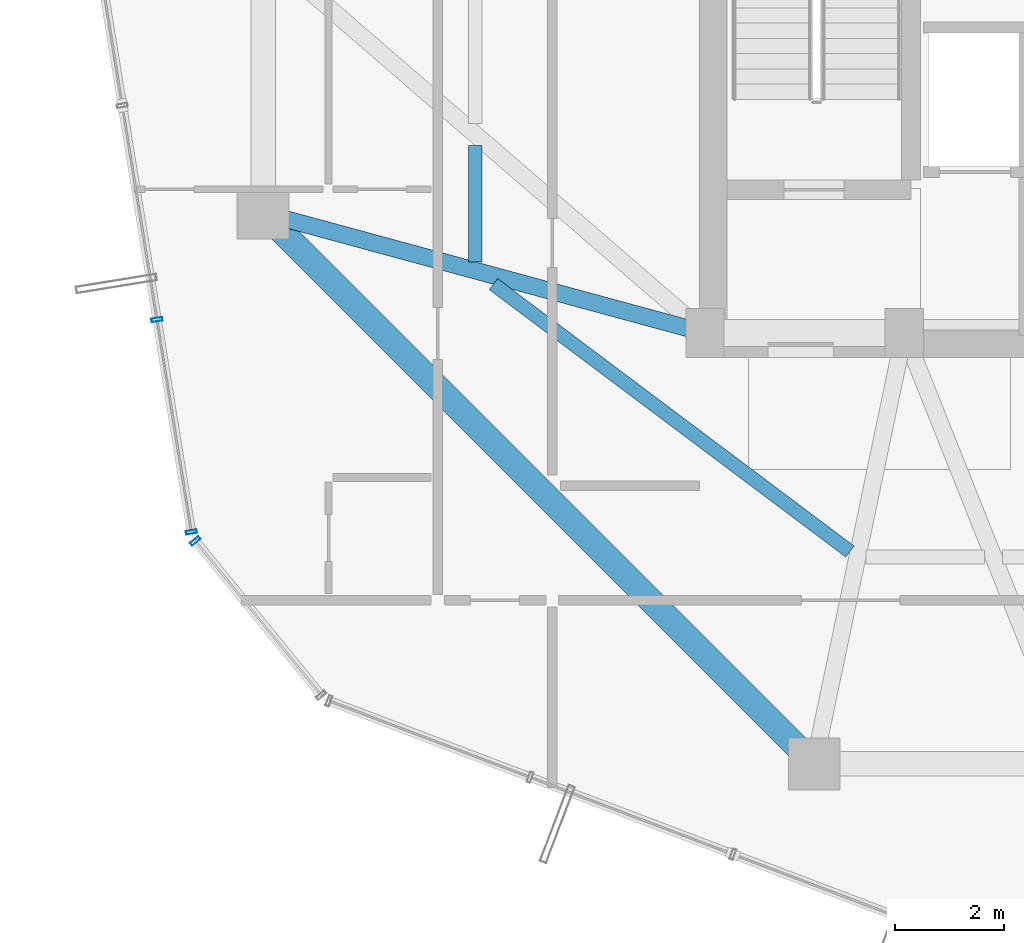
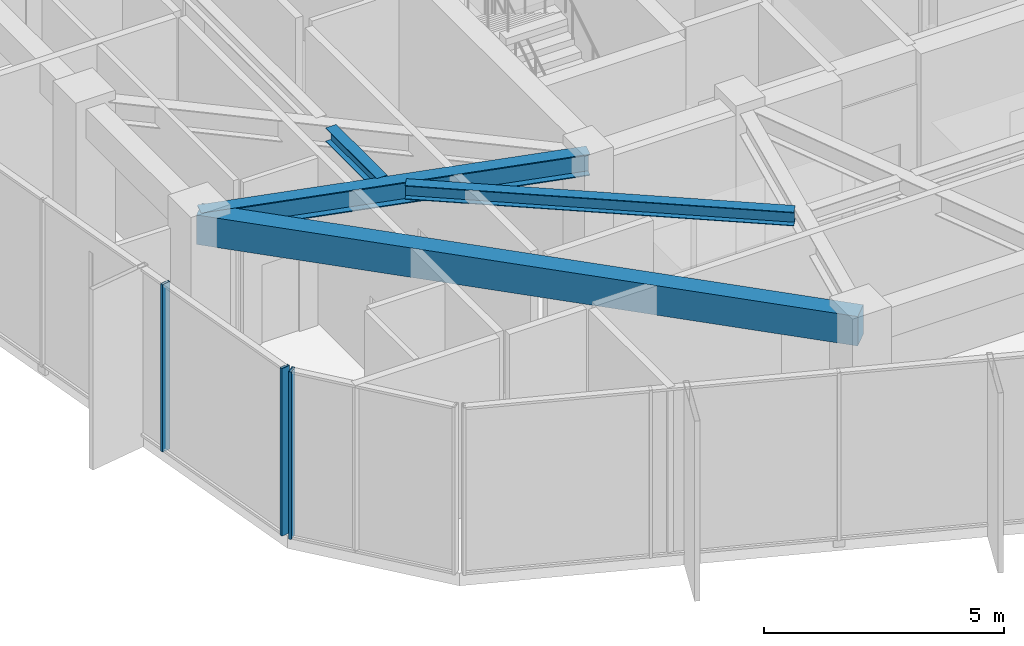
# One storey, part 3 of 22: 4 beams, 3 members, 2 elements without a shape of their own.
"""IFC4 building model written with IfcOpenShell, lengths in metres."""

import ifcopenshell
import ifcopenshell.guid

model = None  # the IFC model being written
_history = None  # IfcOwnerHistory: only IFC2X3 demands one
_inside = {}  # id of a spatial element -> (the spatial element, [elements in it])
_under = {}  # id of a project, library or spatial element -> (it, [spatial elements below it])
_declared = {}  # id of a project -> (the project, [libraries it declares])
_typed = {}  # id of a type object -> (the type object, [elements of that type])
_made_of = {}  # id of a material, layer set ... -> (it, [elements and type objects made of it])


def new_model(schema):
    """Start an empty IFC model of exactly this schema.

    Asked for "IFC4X3", IfcOpenShell would pick the latest addendum, in which some entities
    have other attributes; the version numbers below select the first issue.
    IFC2X3 requires an IfcOwnerHistory on every rooted entity: one is made here for all.
    """
    global model, _history
    if schema == "IFC4X3":
        model = ifcopenshell.file(schema_version=(4, 3, 0, 0))
    else:
        model = ifcopenshell.file(schema=schema)
    _inside.clear()
    _under.clear()
    _declared.clear()
    _typed.clear()
    _made_of.clear()
    _history = None
    if model.schema == "IFC2X3":
        org = make("IfcOrganization", Name="unknown")
        user = make(
            "IfcPersonAndOrganization",
            ThePerson=make("IfcPerson", FamilyName="unknown"),
            TheOrganization=org,
        )
        app = make(
            "IfcApplication",
            ApplicationDeveloper=org,
            Version="unknown",
            ApplicationFullName="unknown",
            ApplicationIdentifier="unknown",
        )
        _history = make(
            "IfcOwnerHistory",
            OwningUser=user,
            OwningApplication=app,
            ChangeAction="ADDED",
            CreationDate=0,
        )
    return model


def make(cls, **values):
    """One entity of the class cls with the attributes given. An attribute that is None is left unset."""
    return model.create_entity(
        cls, **{name: value for name, value in values.items() if value is not None}
    )


def rooted(cls, **values):
    """An entity with a GlobalId (a new one), such as an element, a storey or a relation."""
    return make(cls, GlobalId=ifcopenshell.guid.new(), OwnerHistory=_history, **values)


def si_unit(unit_type, name, prefix=None):
    """IfcSIUnit, for example si_unit("LENGTHUNIT", "METRE", prefix="MILLI")."""
    return make("IfcSIUnit", UnitType=unit_type, Prefix=prefix, Name=name)


def assignment(units):
    """IfcUnitAssignment: the units of a project."""
    return None if units is None else make("IfcUnitAssignment", Units=units)


def point(xyz):
    """IfcCartesianPoint."""
    return None if xyz is None else make("IfcCartesianPoint", Coordinates=xyz)


def direction(xyz):
    """IfcDirection."""
    return None if xyz is None else make("IfcDirection", DirectionRatios=xyz)


def frame(location, z_axis=None, x_axis=None):
    """IfcAxis2Placement3D, a coordinate frame: its origin and axes. An axis left out is left unset."""
    return make(
        "IfcAxis2Placement3D",
        Location=point(location),
        Axis=direction(z_axis),
        RefDirection=direction(x_axis),
    )


def frame_2d(location, x_axis=None):
    """IfcAxis2Placement2D, a coordinate frame in the plane: its origin and x axis."""
    return make(
        "IfcAxis2Placement2D", Location=point(location), RefDirection=direction(x_axis)
    )


def origin():
    """The frame at (0, 0, 0) with its axes left unset."""
    return frame((0.0, 0.0, 0.0))


def origin_2d():
    """The frame at (0, 0) in the plane with its x axis left unset."""
    return frame_2d((0.0, 0.0))


def place(relative_to, where):
    """IfcLocalPlacement: puts the frame where relative to a parent placement (None: the world)."""
    return make(
        "IfcLocalPlacement", PlacementRelTo=relative_to, RelativePlacement=where
    )


def context(
    kind, dimensions, precision=None, world=None, true_north=None, identifier=None
):
    """IfcGeometricRepresentationContext, for example the 3D "Model" context."""
    return make(
        "IfcGeometricRepresentationContext",
        ContextIdentifier=identifier,
        ContextType=kind,
        CoordinateSpaceDimension=dimensions,
        Precision=precision,
        WorldCoordinateSystem=world,
        TrueNorth=true_north,
    )


def subcontext(parent, identifier, kind, view, scale=None):
    """IfcGeometricRepresentationSubContext, for example "Body" below "Model"."""
    return make(
        "IfcGeometricRepresentationSubContext",
        ContextIdentifier=identifier,
        ContextType=kind,
        ParentContext=parent,
        TargetScale=scale,
        TargetView=view,
    )


def project(units=None, contexts=None):
    """IfcProject with its units and contexts."""
    return rooted(
        "IfcProject",
        Name="project",
        RepresentationContexts=contexts,
        UnitsInContext=assignment(units),
    )


def spatial(cls, under=None, at=None, **own):
    """A site, building, storey or space (cls), placed at a placement, below another one or the project."""
    s = rooted(cls, ObjectPlacement=at, **own)
    if under is not None:
        _under.setdefault(under.id(), (under, []))[1].append(s)
    return s


def profile(cls, at=None, kind="AREA", **sizes):
    """A parametric profile (cls). Its sizes go by their IFC names, for example OverallWidth=200.0."""
    return make(cls, ProfileType=kind, Position=at, **sizes)


def rectangle(**sizes):
    """IfcRectangleProfileDef."""
    return profile("IfcRectangleProfileDef", **sizes)


def hollow_rectangle(**sizes):
    """IfcRectangleHollowProfileDef."""
    return profile("IfcRectangleHollowProfileDef", **sizes)


def i_section(**sizes):
    """IfcIShapeProfileDef."""
    return profile("IfcIShapeProfileDef", **sizes)


def extrude(swept, where, along, depth):
    """IfcExtrudedAreaSolid: the profile swept, set in the frame where, extruded along a direction by depth."""
    return make(
        "IfcExtrudedAreaSolid",
        SweptArea=swept,
        Position=where,
        ExtrudedDirection=direction(along),
        Depth=depth,
    )


def shape(context_of_items, identifier, shape_type, items):
    """IfcShapeRepresentation: the items that make up one representation, for example the "Body"."""
    return make(
        "IfcShapeRepresentation",
        ContextOfItems=context_of_items,
        RepresentationIdentifier=identifier,
        RepresentationType=shape_type,
        Items=items,
    )


def source(mapping_origin, context_of_items, identifier, shape_type, items):
    """IfcRepresentationMap: a shape defined once, which mapped items show again and again."""
    return make(
        "IfcRepresentationMap",
        MappingOrigin=mapping_origin,
        MappedRepresentation=shape(context_of_items, identifier, shape_type, items),
    )


def transform(
    local_origin,
    x_axis=None,
    y_axis=None,
    z_axis=None,
    scale=None,
    scale2=None,
    scale3=None,
    uniform=True,
):
    """IfcCartesianTransformationOperator3D, or its non-uniform kind. x_axis, y_axis, z_axis: its Axis1, 2, 3."""
    if uniform:
        return make(
            "IfcCartesianTransformationOperator3D",
            Axis1=direction(x_axis),
            Axis2=direction(y_axis),
            LocalOrigin=point(local_origin),
            Scale=scale,
            Axis3=direction(z_axis),
        )
    return make(
        "IfcCartesianTransformationOperator3DnonUniform",
        Axis1=direction(x_axis),
        Axis2=direction(y_axis),
        LocalOrigin=point(local_origin),
        Scale=scale,
        Axis3=direction(z_axis),
        Scale2=scale2,
        Scale3=scale3,
    )


def mapped(mapping_source, mapping_target):
    """IfcMappedItem: shows the shape of a source again, moved by a transform."""
    return make(
        "IfcMappedItem", MappingSource=mapping_source, MappingTarget=mapping_target
    )


def material(Name=None, Category=None):
    """IfcMaterial."""
    return make("IfcMaterial", Name=Name, Category=Category)


def layer(
    of_material, thickness, ventilated=None, Name=None, Category=None, Priority=None
):
    """IfcMaterialLayer: one layer of a wall or slab, of a material (None: an air gap)."""
    return make(
        "IfcMaterialLayer",
        Material=of_material,
        LayerThickness=thickness,
        IsVentilated=ventilated,
        Name=Name,
        Category=Category,
        Priority=Priority,
    )


def layer_set(layers, Name=None):
    """IfcMaterialLayerSet."""
    return make("IfcMaterialLayerSet", MaterialLayers=layers, LayerSetName=Name)


def material_profile(
    of_material, cross_section, Name=None, Category=None, Priority=None
):
    """IfcMaterialProfile: a cross section and its material."""
    return make(
        "IfcMaterialProfile",
        Name=Name,
        Material=of_material,
        Profile=cross_section,
        Priority=Priority,
        Category=Category,
    )


def profile_set(profiles, Name=None, composite=None):
    """IfcMaterialProfileSet."""
    return make(
        "IfcMaterialProfileSet",
        Name=Name,
        MaterialProfiles=profiles,
        CompositeProfile=composite,
    )


def made_of(thing, what):
    """Note that an element or type object is made of a material, layer set ...; save() writes the relation."""
    if what is not None:
        _made_of.setdefault(what.id(), (what, []))[1].append(thing)
    return thing


def type_object(cls, material=None, **own):
    """A type object (cls), such as IfcWallType, which elements share."""
    return made_of(rooted(cls, **own), material)


def element(
    cls,
    number,
    at=None,
    inside=None,
    cuts=None,
    type_object=None,
    material=None,
    context=None,
    identifier="Body",
    shape_type=None,
    held_by="IfcProductDefinitionShape",
    body=None,
    shapes=None,
    **own,
):
    """One element of the class cls, such as IfcWall. Its Tag is "e" and its number.

    at: its placement. inside: the storey or other place that contains it. cuts: it is an
    opening in that element (IfcRelVoidsElement). A single representation is given by context,
    identifier, shape_type and body (its items); several are given by shapes. held_by: the class
    of the entity that holds the representations. save() writes the other relations.
    """
    e = rooted(cls, Tag="e%d" % number, ObjectPlacement=at, **own)
    if body is not None:
        shapes = [shape(context, identifier, shape_type, body)]
    if shapes is not None:
        e.Representation = make(held_by, Representations=shapes)
    if inside is not None:
        _inside.setdefault(inside.id(), (inside, []))[1].append(e)
    if cuts is not None:
        rooted(
            "IfcRelVoidsElement", RelatingBuildingElement=cuts, RelatedOpeningElement=e
        )
    if type_object is not None:
        _typed.setdefault(type_object.id(), (type_object, []))[1].append(e)
    return made_of(e, material)


def aggregate(whole, parts):
    """IfcRelAggregates: a whole, such as a stair, and the parts it consists of."""
    return rooted("IfcRelAggregates", RelatingObject=whole, RelatedObjects=parts)


def save(model, path):
    """Write the relations noted so far, then the file.

    IfcRelAggregates (storeys below a building ...), IfcRelContainedInSpatialStructure (elements
    in a storey), IfcRelDefinesByType, IfcRelAssociatesMaterial and IfcRelDeclares: one each for
    every whole, place, type object, material and project.
    """
    for whole, parts in _under.values():
        aggregate(whole, parts)
    for where, things in _inside.values():
        rooted(
            "IfcRelContainedInSpatialStructure",
            RelatedElements=things,
            RelatingStructure=where,
        )
    for kind, things in _typed.values():
        rooted("IfcRelDefinesByType", RelatedObjects=things, RelatingType=kind)
    for what, things in _made_of.values():
        rooted("IfcRelAssociatesMaterial", RelatedObjects=things, RelatingMaterial=what)
    for by, libraries in _declared.values():
        rooted("IfcRelDeclares", RelatingContext=by, RelatedDefinitions=libraries)
    model.write(path)


model = new_model("IFC4")

# Units and contexts
model_context = context("Model", 3, precision=1e-05, world=origin(), true_north=direction((0.0, 1.0)))
body_context = subcontext(model_context, "Body", "Model", "MODEL_VIEW")
ifc_project = project(units=[si_unit("LENGTHUNIT", "METRE"), si_unit("AREAUNIT", "SQUARE_METRE"), si_unit("VOLUMEUNIT", "CUBIC_METRE"), si_unit("PLANEANGLEUNIT", "RADIAN"), si_unit("MASSUNIT", "GRAM", prefix="KILO")], contexts=[model_context])

# Site, building, storey
site_placement = place(None, origin())
site = spatial("IfcSite", under=ifc_project, at=site_placement, CompositionType="ELEMENT")
building_placement = place(site_placement, origin())
building = spatial("IfcBuilding", under=site, at=building_placement, Name="Veraguas Prism Commons", CompositionType="ELEMENT")
storey_placement = place(building_placement, frame((0.0, 0.0, 174.35009765625)))
storey = spatial("IfcBuildingStorey", under=building, at=storey_placement, Name="L49", CompositionType="ELEMENT", Elevation=174.35009765625)

# Beams
ifc_material_1 = material(Name="Concrete C50/60", Category="concrete")
ifc_material_profile_1 = material_profile(ifc_material_1, rectangle(XDim=0.449951171875, YDim=0.75, at=origin_2d()), Name="RC450X750")
ifc_profile_set_1 = profile_set([ifc_material_profile_1], Name="Concrete C50/60")
beam_type_1 = type_object("IfcBeamType", Name="Perimeter Spandrel Upper RC 450x750", PredefinedType="SPANDREL", material=ifc_profile_set_1)
beam_1_placement = place(storey_placement, frame((9.10009765625, 19.199951171875, 3.889892578125), z_axis=(0.707106781187, -0.707106781187, 0.0), x_axis=(0.707106781187, 0.707106781187, 0.0)))
element("IfcBeam", 1, at=beam_1_placement, inside=storey, type_object=beam_type_1, Name="Perimeter Spandrel Beam L49-SP09", PredefinedType="SPANDREL", context=body_context, shape_type="SweptSolid", body=[
    extrude(rectangle(XDim=0.449951171875, YDim=0.75, at=origin_2d()), origin(), (0.0, 0.0, 1.0), 14.283447265625),
])
ifc_material_2 = material(Name="Steel ASTM A992 Grade 50", Category="steel")
ifc_material_profile_2 = material_profile(ifc_material_2, i_section(OverallWidth=0.25390625, OverallDepth=0.35302734375, WebThickness=0.009521484375, FlangeThickness=0.016357421875, at=origin_2d()), Name="W360X91")
ifc_profile_set_2 = profile_set([ifc_material_profile_2], Name="Steel ASTM A992 Grade 50")
beam_type_2 = type_object("IfcBeamType", Name="Upper Floor Joist W360x91", PredefinedType="JOIST", material=ifc_profile_set_2)
beam_2_placement = place(storey_placement, frame((12.988037109375, 20.43701171875, 4.08837890625), z_axis=(0.0, -1.0, 0.0), x_axis=(1.0, 0.0, 0.0)))
element("IfcBeam", 2, at=beam_2_placement, inside=storey, type_object=beam_type_2, Name="Composite Floor Joist L49-JS08", PredefinedType="JOIST", context=body_context, shape_type="SweptSolid", body=[
    extrude(i_section(OverallWidth=0.25390625, OverallDepth=0.35302734375, WebThickness=0.009521484375, FlangeThickness=0.016357421875, at=origin_2d()), origin(), (0.0, 0.0, 1.0), 2.134033203125),
])
beam_3_placement = place(storey_placement, frame((13.320556640625, 17.89453125, 4.08837890625), z_axis=(0.800060962004, -0.599918708724, 0.0), x_axis=(0.599918708724, 0.800060962004, 0.0)))
element("IfcBeam", 3, at=beam_3_placement, inside=storey, type_object=beam_type_2, Name="Composite Floor Joist L49-JS09", PredefinedType="JOIST", context=body_context, shape_type="SweptSolid", body=[
    extrude(i_section(OverallWidth=0.25390625, OverallDepth=0.35302734375, WebThickness=0.009521484375, FlangeThickness=0.016357421875, at=origin_2d()), origin(), (0.0, 0.0, 1.0), 8.169189453125),
])
ifc_material_profile_3 = material_profile(ifc_material_2, i_section(OverallWidth=0.31103515625, OverallDepth=0.5458984375, WebThickness=0.0146484375, FlangeThickness=0.023681640625, at=origin_2d()), Name="W530X165")
ifc_profile_set_3 = profile_set([ifc_material_profile_3], Name="Steel ASTM A992 Grade 50")
beam_type_3 = type_object("IfcBeamType", Name="Zone 3 Radial Girder W530x165", PredefinedType="BEAM", material=ifc_profile_set_3)
beam_4_placement = place(storey_placement, frame((9.10009765625, 19.199951171875, 3.991943359375), z_axis=(0.965038506703, -0.262108146725, 0.0), x_axis=(0.262108146725, 0.965038506703, 0.0)))
element("IfcBeam", 4, at=beam_4_placement, inside=storey, type_object=beam_type_3, Name="Radial Floor Girder L49-RD09", PredefinedType="BEAM", context=body_context, shape_type="SweptSolid", body=[
    extrude(i_section(OverallWidth=0.31103515625, OverallDepth=0.5458984375, WebThickness=0.0146484375, FlangeThickness=0.023681640625, at=origin_2d()), origin(), (0.0, 0.0, 1.0), 8.393310546875),
])

# Curtain wall, members
ifc_material_3 = material(Name="Anodised aluminium EN AW-6063 T6", Category="aluminium")
ifc_layer = layer(ifc_material_3, 0.199951171875, Name="Sky Lobby and Pool Acoustic Curtain Wall", Category="aluminium")
ifc_layer_set = layer_set([ifc_layer], Name="Anodised aluminium EN AW-6063 T6")
curtain_wall_type = type_object("IfcCurtainWallType", Name="Sky Lobby and Pool Acoustic Curtain Wall", PredefinedType="NOTDEFINED", material=ifc_layer_set)
curtain_wall_1_placement = place(storey_placement, origin())
curtain_wall_1 = element("IfcCurtainWall", 5, at=curtain_wall_1_placement, inside=storey, type_object=curtain_wall_type, Name="Tower Facade Curtain Wall L49-F3", PredefinedType="NOTDEFINED")
ifc_material_profile_4 = material_profile(ifc_material_3, hollow_rectangle(XDim=0.06494140625, YDim=0.199951171875, WallThickness=0.00390625, at=origin_2d()), Name="AL65X200X4")
ifc_profile_set_4 = profile_set([ifc_material_profile_4], Name="Anodised aluminium EN AW-6063 T6")
member_type = type_object("IfcMemberType", Name="Curtain Wall Mullion Heavy AL 65x200x4", PredefinedType="MULLION", material=ifc_profile_set_4)
shared_shape = source(origin(), body_context, "Body", "SweptSolid", [
    extrude(hollow_rectangle(XDim=0.06494140625, YDim=0.199951171875, WallThickness=0.00390625, at=origin_2d()), origin(), (0.0, 0.0, 1.0), 4.264892578125),
])
member_1_placement = place(storey_placement, frame((7.1533203125, 17.243896484375, 0.0), z_axis=(0.0, 0.0, 1.0), x_axis=(0.159874296177, -0.98713738123, 0.0)))
member_1 = element("IfcMember", 6, at=member_1_placement, type_object=member_type, Name="CW-SKY Mullion 4", PredefinedType="MULLION", context=body_context, shape_type="MappedRepresentation", body=[
    mapped(shared_shape, transform((0.0, 0.0, 0.0), scale=1.0)),
])
member_2_placement = place(storey_placement, frame((7.78369140625, 13.3515625, 0.0), z_axis=(0.0, 0.0, 1.0), x_axis=(0.159874296177, -0.98713738123, 0.0)))
member_2 = element("IfcMember", 7, at=member_2_placement, type_object=member_type, Name="CW-SKY Mullion 5", PredefinedType="MULLION", context=body_context, shape_type="MappedRepresentation", body=[
    mapped(shared_shape, transform((0.0, 0.0, 0.0), scale=1.0)),
])
aggregate(curtain_wall_1, [member_1, member_2])

# Curtain wall, member
curtain_wall_2_placement = place(storey_placement, origin())
curtain_wall_2 = element("IfcCurtainWall", 8, at=curtain_wall_2_placement, inside=storey, type_object=curtain_wall_type, Name="Chamfer Curtain Wall L49-C4", PredefinedType="NOTDEFINED")
member_3_placement = place(storey_placement, frame((7.85693359375, 13.188720703125, 0.0), z_axis=(0.0, 0.0, 1.0), x_axis=(0.632050942951, -0.774926838814, 0.0)))
member_3 = element("IfcMember", 9, at=member_3_placement, type_object=member_type, Name="CW-SKY Mullion 1", PredefinedType="MULLION", context=body_context, shape_type="MappedRepresentation", body=[
    mapped(shared_shape, transform((0.0, 0.0, 0.0), scale=1.0)),
])
aggregate(curtain_wall_2, [member_3])

save(model, "model.ifc")
